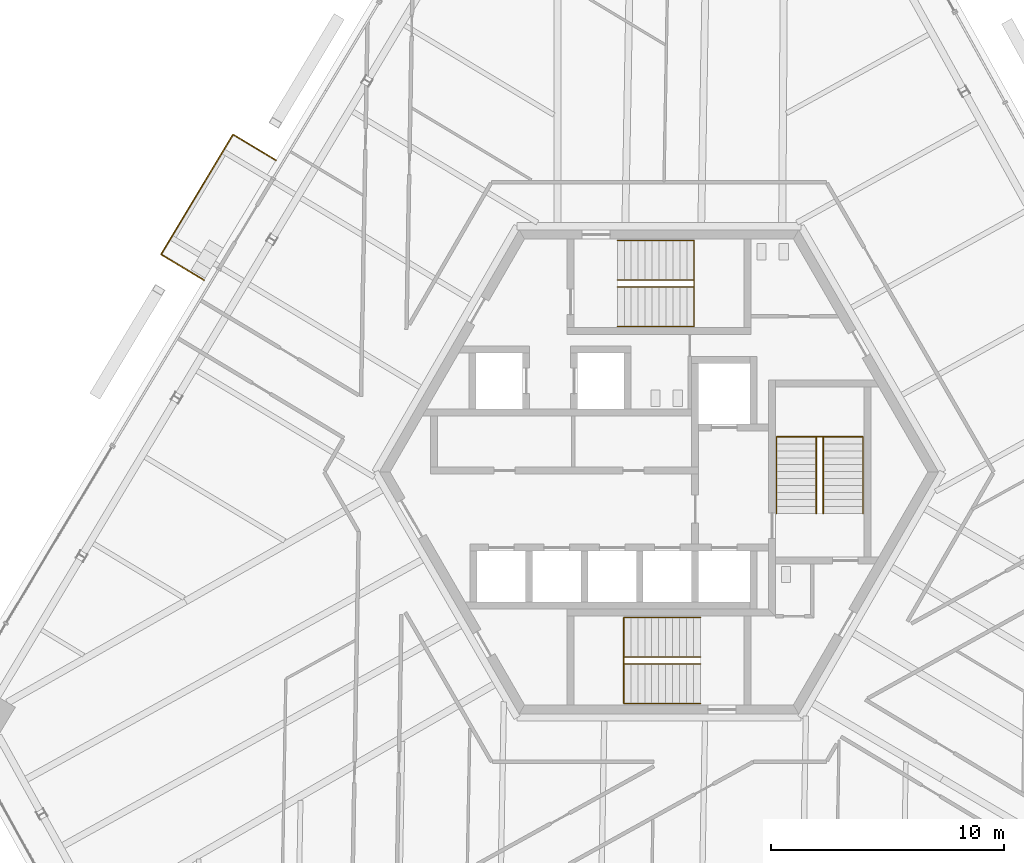
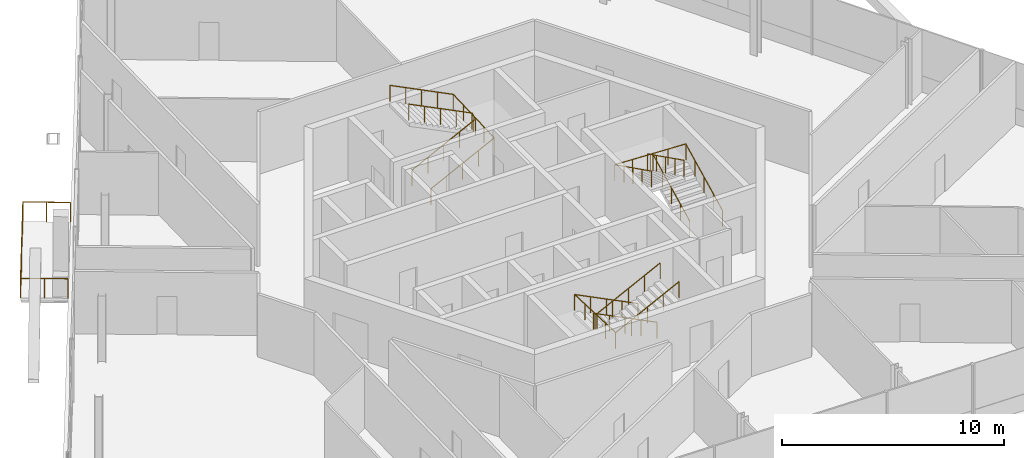
# One storey, part 15 of 18: 7 railings.
"""IFC4 building model written with IfcOpenShell, lengths in metres."""

from ifc_helpers import new_model, si_unit, direction, frame, origin, origin_2d, place, context, subcontext, project, spatial, circle, extrude, source, transform, mapped, material, type_object, element, save


model = new_model("IFC4")

# Units and contexts
model_context = context("Model", 3, precision=1e-05, world=origin(), true_north=direction((0.0, 1.0)))
body_context = subcontext(model_context, "Body", "Model", "MODEL_VIEW")
ifc_project = project(units=[si_unit("LENGTHUNIT", "METRE"), si_unit("AREAUNIT", "SQUARE_METRE"), si_unit("VOLUMEUNIT", "CUBIC_METRE"), si_unit("PLANEANGLEUNIT", "RADIAN"), si_unit("MASSUNIT", "GRAM", prefix="KILO")], contexts=[model_context])

# Site, building, storey
site_placement = place(None, origin())
site = spatial("IfcSite", under=ifc_project, at=site_placement, CompositionType="ELEMENT")
building_placement = place(site_placement, origin())
building = spatial("IfcBuilding", under=site, at=building_placement, Name="Triune Harvest Tower", CompositionType="ELEMENT")
storey_placement = place(building_placement, frame((0.0, 0.0, 190.699951171875)))
storey = spatial("IfcBuildingStorey", under=building, at=storey_placement, Name="L49", CompositionType="ELEMENT", Elevation=190.699951171875)

# Railings
ifc_material_1 = material(Name="Stainless steel AISI 316", Category="steel")
railing_type_1 = type_object("IfcRailingType", Name="Stair handrail", PredefinedType="HANDRAIL", material=ifc_material_1)
shared_shape_1 = source(origin(), body_context, "Body", "SweptSolid", [
    extrude(circle(Radius=0.02392578125, at=origin_2d()), frame((0.0, 0.0, 0.8759765625), z_axis=(0.894440424912, 0.0, 0.447187126696), x_axis=(0.0, 1.0, 0.0)), (0.0, 0.0, 1.0), 3.689453125),
    extrude(circle(Radius=0.02392578125, at=origin_2d()), frame((3.300048828125, 0.0, 2.52587890625), z_axis=(0.0, 0.999180289278, 0.040481471304), x_axis=(-1.0, 0.0, 0.0)), (0.0, 0.0, 1.0), 3.702880859375),
    extrude(circle(Radius=0.02392578125, at=origin_2d()), frame((3.300048828125, 3.699951171875, 2.67578125), z_axis=(-0.894413956696, 0.0, 0.447240063129), x_axis=(0.0, -1.0, 0.0)), (0.0, 0.0, 1.0), 3.689697265625),
    extrude(circle(Radius=0.02099609375, at=origin_2d()), origin(), (0.0, 0.0, 1.0), 0.851806640625),
    extrude(circle(Radius=0.02099609375, at=origin_2d()), frame((0.824951171875, 0.0, 0.41259765625)), (0.0, 0.0, 1.0), 0.851806640625),
    extrude(circle(Radius=0.02099609375, at=origin_2d()), frame((1.64990234375, 0.0, 0.824951171875)), (0.0, 0.0, 1.0), 0.851806640625),
    extrude(circle(Radius=0.02099609375, at=origin_2d()), frame((2.47509765625, 0.0, 1.2373046875)), (0.0, 0.0, 1.0), 0.851806640625),
    extrude(circle(Radius=0.02099609375, at=origin_2d()), frame((3.300048828125, 0.0, 1.64990234375)), (0.0, 0.0, 1.0), 0.851806640625),
    extrude(circle(Radius=0.02099609375, at=origin_2d()), frame((3.300048828125, 0.925048828125, 1.6875)), (0.0, 0.0, 1.0), 0.851806640625),
    extrude(circle(Radius=0.02099609375, at=origin_2d()), frame((3.300048828125, 1.85009765625, 1.724853515625)), (0.0, 0.0, 1.0), 0.851806640625),
    extrude(circle(Radius=0.02099609375, at=origin_2d()), frame((3.300048828125, 2.77490234375, 1.76220703125)), (0.0, 0.0, 1.0), 0.851806640625),
    extrude(circle(Radius=0.02099609375, at=origin_2d()), frame((3.300048828125, 3.699951171875, 1.7998046875)), (0.0, 0.0, 1.0), 0.851806640625),
    extrude(circle(Radius=0.02099609375, at=origin_2d()), frame((2.47509765625, 3.699951171875, 2.21240234375)), (0.0, 0.0, 1.0), 0.851806640625),
    extrude(circle(Radius=0.02099609375, at=origin_2d()), frame((1.64990234375, 3.699951171875, 2.625)), (0.0, 0.0, 1.0), 0.851806640625),
    extrude(circle(Radius=0.02099609375, at=origin_2d()), frame((0.824951171875, 3.699951171875, 3.037353515625)), (0.0, 0.0, 1.0), 0.851806640625),
    extrude(circle(Radius=0.02099609375, at=origin_2d()), frame((0.0, 3.699951171875, 3.449951171875)), (0.0, 0.0, 1.0), 0.851806640625),
])
railing_1_placement = place(storey_placement, frame((-1.7900390625, 6.239990234375, 0.150146484375)))
element("IfcRailing", 1, at=railing_1_placement, inside=storey, type_object=railing_type_1, Name="Exit stair north wall handrail", PredefinedType="HANDRAIL", context=body_context, shape_type="MappedRepresentation", body=[
    mapped(shared_shape_1, transform((0.0, 0.0, 0.0), scale=1.0)),
])
shared_shape_2 = source(origin(), body_context, "Body", "SweptSolid", [
    extrude(circle(Radius=0.02392578125, at=origin_2d()), frame((0.0, 0.0, 0.8759765625), z_axis=(0.894440424912, 0.0, 0.447187126696), x_axis=(0.0, 1.0, 0.0)), (0.0, 0.0, 1.0), 3.689453125),
    extrude(circle(Radius=0.02392578125, at=origin_2d()), frame((3.300048828125, 0.0, 2.52587890625), z_axis=(0.0, 0.894572720946, 0.446922417137), x_axis=(-1.0, 0.0, 0.0)), (0.0, 0.0, 1.0), 0.33544921875),
    extrude(circle(Radius=0.02392578125, at=origin_2d()), frame((3.300048828125, 0.300048828125, 2.67578125), z_axis=(-0.894413956696, 0.0, 0.447240063129), x_axis=(0.0, -1.0, 0.0)), (0.0, 0.0, 1.0), 3.689697265625),
    extrude(circle(Radius=0.02099609375, at=origin_2d()), origin(), (0.0, 0.0, 1.0), 0.851806640625),
    extrude(circle(Radius=0.02099609375, at=origin_2d()), frame((0.824951171875, 0.0, 0.41259765625)), (0.0, 0.0, 1.0), 0.851806640625),
    extrude(circle(Radius=0.02099609375, at=origin_2d()), frame((1.64990234375, 0.0, 0.824951171875)), (0.0, 0.0, 1.0), 0.851806640625),
    extrude(circle(Radius=0.02099609375, at=origin_2d()), frame((2.47509765625, 0.0, 1.2373046875)), (0.0, 0.0, 1.0), 0.851806640625),
    extrude(circle(Radius=0.02099609375, at=origin_2d()), frame((3.300048828125, 0.0, 1.64990234375)), (0.0, 0.0, 1.0), 0.851806640625),
    extrude(circle(Radius=0.02099609375, at=origin_2d()), frame((3.300048828125, 0.300048828125, 1.7998046875)), (0.0, 0.0, 1.0), 0.851806640625),
    extrude(circle(Radius=0.02099609375, at=origin_2d()), frame((2.47509765625, 0.300048828125, 2.21240234375)), (0.0, 0.0, 1.0), 0.851806640625),
    extrude(circle(Radius=0.02099609375, at=origin_2d()), frame((1.64990234375, 0.300048828125, 2.625)), (0.0, 0.0, 1.0), 0.851806640625),
    extrude(circle(Radius=0.02099609375, at=origin_2d()), frame((0.824951171875, 0.300048828125, 3.037353515625)), (0.0, 0.0, 1.0), 0.851806640625),
    extrude(circle(Radius=0.02099609375, at=origin_2d()), frame((0.0, 0.300048828125, 3.449951171875)), (0.0, 0.0, 1.0), 0.851806640625),
])
railing_2_placement = place(storey_placement, frame((-1.7900390625, 7.93994140625, 0.150146484375)))
element("IfcRailing", 2, at=railing_2_placement, inside=storey, type_object=railing_type_1, Name="Exit stair north centre handrail", PredefinedType="HANDRAIL", context=body_context, shape_type="MappedRepresentation", body=[
    mapped(shared_shape_2, transform((0.0, 0.0, 0.0), scale=1.0)),
])
shared_shape_3 = source(origin(), body_context, "Body", "SweptSolid", [
    extrude(circle(Radius=0.02392578125, at=origin_2d()), frame((0.0, 0.0, 0.8759765625), z_axis=(-0.894440424912, 0.0, 0.447187126696), x_axis=(0.0, -1.0, 0.0)), (0.0, 0.0, 1.0), 3.689453125),
    extrude(circle(Radius=0.02392578125, at=origin_2d()), frame((-3.300048828125, 0.0, 2.52587890625), z_axis=(0.0, -0.999180289278, 0.040481471304), x_axis=(1.0, 0.0, 0.0)), (0.0, 0.0, 1.0), 3.702880859375),
    extrude(circle(Radius=0.02392578125, at=origin_2d()), frame((-3.300048828125, -3.699951171875, 2.67578125), z_axis=(0.894413956696, 0.0, 0.447240063129), x_axis=(0.0, 1.0, 0.0)), (0.0, 0.0, 1.0), 3.689697265625),
    extrude(circle(Radius=0.02099609375, at=origin_2d()), origin(), (0.0, 0.0, 1.0), 0.851806640625),
    extrude(circle(Radius=0.02099609375, at=origin_2d()), frame((-0.824951171875, 0.0, 0.41259765625)), (0.0, 0.0, 1.0), 0.851806640625),
    extrude(circle(Radius=0.02099609375, at=origin_2d()), frame((-1.64990234375, 0.0, 0.824951171875)), (0.0, 0.0, 1.0), 0.851806640625),
    extrude(circle(Radius=0.02099609375, at=origin_2d()), frame((-2.47509765625, 0.0, 1.2373046875)), (0.0, 0.0, 1.0), 0.851806640625),
    extrude(circle(Radius=0.02099609375, at=origin_2d()), frame((-3.300048828125, 0.0, 1.64990234375)), (0.0, 0.0, 1.0), 0.851806640625),
    extrude(circle(Radius=0.02099609375, at=origin_2d()), frame((-3.300048828125, -0.925048828125, 1.6875)), (0.0, 0.0, 1.0), 0.851806640625),
    extrude(circle(Radius=0.02099609375, at=origin_2d()), frame((-3.300048828125, -1.85009765625, 1.724853515625)), (0.0, 0.0, 1.0), 0.851806640625),
    extrude(circle(Radius=0.02099609375, at=origin_2d()), frame((-3.300048828125, -2.77490234375, 1.76220703125)), (0.0, 0.0, 1.0), 0.851806640625),
    extrude(circle(Radius=0.02099609375, at=origin_2d()), frame((-3.300048828125, -3.699951171875, 1.7998046875)), (0.0, 0.0, 1.0), 0.851806640625),
    extrude(circle(Radius=0.02099609375, at=origin_2d()), frame((-2.47509765625, -3.699951171875, 2.21240234375)), (0.0, 0.0, 1.0), 0.851806640625),
    extrude(circle(Radius=0.02099609375, at=origin_2d()), frame((-1.64990234375, -3.699951171875, 2.625)), (0.0, 0.0, 1.0), 0.851806640625),
    extrude(circle(Radius=0.02099609375, at=origin_2d()), frame((-0.824951171875, -3.699951171875, 3.037353515625)), (0.0, 0.0, 1.0), 0.851806640625),
    extrude(circle(Radius=0.02099609375, at=origin_2d()), frame((0.0, -3.699951171875, 3.449951171875)), (0.0, 0.0, 1.0), 0.851806640625),
])
railing_3_placement = place(storey_placement, frame((1.7900390625, -6.239990234375, 0.150146484375)))
element("IfcRailing", 3, at=railing_3_placement, inside=storey, type_object=railing_type_1, Name="Exit stair south wall handrail", PredefinedType="HANDRAIL", context=body_context, shape_type="MappedRepresentation", body=[
    mapped(shared_shape_3, transform((0.0, 0.0, 0.0), scale=1.0)),
])
shared_shape_4 = source(origin(), body_context, "Body", "SweptSolid", [
    extrude(circle(Radius=0.02392578125, at=origin_2d()), frame((0.0, 0.0, 0.8759765625), z_axis=(-0.894440424912, 0.0, 0.447187126696), x_axis=(0.0, -1.0, 0.0)), (0.0, 0.0, 1.0), 3.689453125),
    extrude(circle(Radius=0.02392578125, at=origin_2d()), frame((-3.300048828125, 0.0, 2.52587890625), z_axis=(0.0, -0.894572720946, 0.446922417137), x_axis=(1.0, 0.0, 0.0)), (0.0, 0.0, 1.0), 0.33544921875),
    extrude(circle(Radius=0.02392578125, at=origin_2d()), frame((-3.300048828125, -0.300048828125, 2.67578125), z_axis=(0.894413956696, 0.0, 0.447240063129), x_axis=(0.0, 1.0, 0.0)), (0.0, 0.0, 1.0), 3.689697265625),
    extrude(circle(Radius=0.02099609375, at=origin_2d()), origin(), (0.0, 0.0, 1.0), 0.851806640625),
    extrude(circle(Radius=0.02099609375, at=origin_2d()), frame((-0.824951171875, 0.0, 0.41259765625)), (0.0, 0.0, 1.0), 0.851806640625),
    extrude(circle(Radius=0.02099609375, at=origin_2d()), frame((-1.64990234375, 0.0, 0.824951171875)), (0.0, 0.0, 1.0), 0.851806640625),
    extrude(circle(Radius=0.02099609375, at=origin_2d()), frame((-2.47509765625, 0.0, 1.2373046875)), (0.0, 0.0, 1.0), 0.851806640625),
    extrude(circle(Radius=0.02099609375, at=origin_2d()), frame((-3.300048828125, 0.0, 1.64990234375)), (0.0, 0.0, 1.0), 0.851806640625),
    extrude(circle(Radius=0.02099609375, at=origin_2d()), frame((-3.300048828125, -0.300048828125, 1.7998046875)), (0.0, 0.0, 1.0), 0.851806640625),
    extrude(circle(Radius=0.02099609375, at=origin_2d()), frame((-2.47509765625, -0.300048828125, 2.21240234375)), (0.0, 0.0, 1.0), 0.851806640625),
    extrude(circle(Radius=0.02099609375, at=origin_2d()), frame((-1.64990234375, -0.300048828125, 2.625)), (0.0, 0.0, 1.0), 0.851806640625),
    extrude(circle(Radius=0.02099609375, at=origin_2d()), frame((-0.824951171875, -0.300048828125, 3.037353515625)), (0.0, 0.0, 1.0), 0.851806640625),
    extrude(circle(Radius=0.02099609375, at=origin_2d()), frame((0.0, -0.300048828125, 3.449951171875)), (0.0, 0.0, 1.0), 0.851806640625),
])
railing_4_placement = place(storey_placement, frame((1.7900390625, -7.93994140625, 0.150146484375)))
element("IfcRailing", 4, at=railing_4_placement, inside=storey, type_object=railing_type_1, Name="Exit stair south centre handrail", PredefinedType="HANDRAIL", context=body_context, shape_type="MappedRepresentation", body=[
    mapped(shared_shape_4, transform((0.0, 0.0, 0.0), scale=1.0)),
])
shared_shape_5 = source(origin(), body_context, "Body", "SweptSolid", [
    extrude(circle(Radius=0.02392578125, at=origin_2d()), frame((0.0, 0.0, 0.8759765625), z_axis=(0.0, 0.894440424912, 0.447187126696), x_axis=(-1.0, 0.0, 0.0)), (0.0, 0.0, 1.0), 3.689453125),
    extrude(circle(Radius=0.02392578125, at=origin_2d()), frame((0.0, 3.300048828125, 2.52587890625), z_axis=(-0.999180289278, 0.0, 0.040481471304), x_axis=(0.0, -1.0, 0.0)), (0.0, 0.0, 1.0), 3.702880859375),
    extrude(circle(Radius=0.02392578125, at=origin_2d()), frame((-3.699951171875, 3.300048828125, 2.67578125), z_axis=(0.0, -0.894413956696, 0.447240063129), x_axis=(1.0, 0.0, 0.0)), (0.0, 0.0, 1.0), 3.689697265625),
    extrude(circle(Radius=0.02099609375, at=origin_2d()), origin(), (0.0, 0.0, 1.0), 0.851806640625),
    extrude(circle(Radius=0.02099609375, at=origin_2d()), frame((0.0, 0.824951171875, 0.41259765625)), (0.0, 0.0, 1.0), 0.851806640625),
    extrude(circle(Radius=0.02099609375, at=origin_2d()), frame((0.0, 1.64990234375, 0.824951171875)), (0.0, 0.0, 1.0), 0.851806640625),
    extrude(circle(Radius=0.02099609375, at=origin_2d()), frame((0.0, 2.47509765625, 1.2373046875)), (0.0, 0.0, 1.0), 0.851806640625),
    extrude(circle(Radius=0.02099609375, at=origin_2d()), frame((0.0, 3.300048828125, 1.64990234375)), (0.0, 0.0, 1.0), 0.851806640625),
    extrude(circle(Radius=0.02099609375, at=origin_2d()), frame((-0.925048828125, 3.300048828125, 1.6875)), (0.0, 0.0, 1.0), 0.851806640625),
    extrude(circle(Radius=0.02099609375, at=origin_2d()), frame((-1.85009765625, 3.300048828125, 1.724853515625)), (0.0, 0.0, 1.0), 0.851806640625),
    extrude(circle(Radius=0.02099609375, at=origin_2d()), frame((-2.77490234375, 3.300048828125, 1.76220703125)), (0.0, 0.0, 1.0), 0.851806640625),
    extrude(circle(Radius=0.02099609375, at=origin_2d()), frame((-3.699951171875, 3.300048828125, 1.7998046875)), (0.0, 0.0, 1.0), 0.851806640625),
    extrude(circle(Radius=0.02099609375, at=origin_2d()), frame((-3.699951171875, 2.47509765625, 2.21240234375)), (0.0, 0.0, 1.0), 0.851806640625),
    extrude(circle(Radius=0.02099609375, at=origin_2d()), frame((-3.699951171875, 1.64990234375, 2.625)), (0.0, 0.0, 1.0), 0.851806640625),
    extrude(circle(Radius=0.02099609375, at=origin_2d()), frame((-3.699951171875, 0.824951171875, 3.037353515625)), (0.0, 0.0, 1.0), 0.851806640625),
    extrude(circle(Radius=0.02099609375, at=origin_2d()), frame((-3.699951171875, 0.0, 3.449951171875)), (0.0, 0.0, 1.0), 0.851806640625),
])
railing_5_placement = place(storey_placement, frame((8.75, -1.7900390625, 0.150146484375)))
element("IfcRailing", 5, at=railing_5_placement, inside=storey, type_object=railing_type_1, Name="Exit stair east wall handrail", PredefinedType="HANDRAIL", context=body_context, shape_type="MappedRepresentation", body=[
    mapped(shared_shape_5, transform((0.0, 0.0, 0.0), scale=1.0)),
])
shared_shape_6 = source(origin(), body_context, "Body", "SweptSolid", [
    extrude(circle(Radius=0.02392578125, at=origin_2d()), frame((0.0, 0.0, 0.8759765625), z_axis=(0.0, 0.894440424912, 0.447187126696), x_axis=(-1.0, 0.0, 0.0)), (0.0, 0.0, 1.0), 3.689453125),
    extrude(circle(Radius=0.02392578125, at=origin_2d()), frame((0.0, 3.300048828125, 2.52587890625), z_axis=(-0.894572720946, 0.0, 0.446922417137), x_axis=(0.0, -1.0, 0.0)), (0.0, 0.0, 1.0), 0.33544921875),
    extrude(circle(Radius=0.02392578125, at=origin_2d()), frame((-0.300048828125, 3.300048828125, 2.67578125), z_axis=(0.0, -0.894413956696, 0.447240063129), x_axis=(1.0, 0.0, 0.0)), (0.0, 0.0, 1.0), 3.689697265625),
    extrude(circle(Radius=0.02099609375, at=origin_2d()), origin(), (0.0, 0.0, 1.0), 0.851806640625),
    extrude(circle(Radius=0.02099609375, at=origin_2d()), frame((0.0, 0.824951171875, 0.41259765625)), (0.0, 0.0, 1.0), 0.851806640625),
    extrude(circle(Radius=0.02099609375, at=origin_2d()), frame((0.0, 1.64990234375, 0.824951171875)), (0.0, 0.0, 1.0), 0.851806640625),
    extrude(circle(Radius=0.02099609375, at=origin_2d()), frame((0.0, 2.47509765625, 1.2373046875)), (0.0, 0.0, 1.0), 0.851806640625),
    extrude(circle(Radius=0.02099609375, at=origin_2d()), frame((0.0, 3.300048828125, 1.64990234375)), (0.0, 0.0, 1.0), 0.851806640625),
    extrude(circle(Radius=0.02099609375, at=origin_2d()), frame((-0.300048828125, 3.300048828125, 1.7998046875)), (0.0, 0.0, 1.0), 0.851806640625),
    extrude(circle(Radius=0.02099609375, at=origin_2d()), frame((-0.300048828125, 2.47509765625, 2.21240234375)), (0.0, 0.0, 1.0), 0.851806640625),
    extrude(circle(Radius=0.02099609375, at=origin_2d()), frame((-0.300048828125, 1.64990234375, 2.625)), (0.0, 0.0, 1.0), 0.851806640625),
    extrude(circle(Radius=0.02099609375, at=origin_2d()), frame((-0.300048828125, 0.824951171875, 3.037353515625)), (0.0, 0.0, 1.0), 0.851806640625),
    extrude(circle(Radius=0.02099609375, at=origin_2d()), frame((-0.300048828125, 0.0, 3.449951171875)), (0.0, 0.0, 1.0), 0.851806640625),
])
railing_6_placement = place(storey_placement, frame((7.050048828125, -1.7900390625, 0.150146484375)))
element("IfcRailing", 6, at=railing_6_placement, inside=storey, type_object=railing_type_1, Name="Exit stair east centre handrail", PredefinedType="HANDRAIL", context=body_context, shape_type="MappedRepresentation", body=[
    mapped(shared_shape_6, transform((0.0, 0.0, 0.0), scale=1.0)),
])
ifc_material_2 = material(Name="Glass", Category="glass")
railing_type_2 = type_object("IfcRailingType", Name="GD-2 balcony guard 1100", PredefinedType="GUARDRAIL", material=ifc_material_2)
shared_shape_7 = source(origin(), body_context, "Body", "SweptSolid", [
    extrude(circle(Radius=0.02392578125, at=origin_2d()), frame((0.0, 0.0, 1.076171875), z_axis=(-0.857171813398, 0.515030564448, 0.0), x_axis=(-0.515030564448, -0.857171813398, 0.0)), (0.0, 0.0, 1.0), 2.14794921875),
    extrude(circle(Radius=0.02392578125, at=origin_2d()), frame((-1.841064453125, 1.106201171875, 1.076171875), z_axis=(-0.515046152758, -0.85716244699, 0.0), x_axis=(0.85716244699, -0.515046152758, 0.0)), (0.0, 0.0, 1.0), 6.0),
    extrude(circle(Radius=0.02392578125, at=origin_2d()), frame((-4.931396484375, -4.036865234375, 1.076171875), z_axis=(0.857201960216, -0.514980387396, 0.0), x_axis=(0.514980387396, 0.857201960216, 0.0)), (0.0, 0.0, 1.0), 2.14794921875),
    extrude(circle(Radius=0.02099609375, at=origin_2d()), origin(), (0.0, 0.0, 1.0), 1.052001953125),
    extrude(circle(Radius=0.02099609375, at=origin_2d()), frame((-0.92041015625, 0.55322265625, 0.0)), (0.0, 0.0, 1.0), 1.052001953125),
    extrude(circle(Radius=0.02099609375, at=origin_2d()), frame((-1.841064453125, 1.106201171875, 0.0)), (0.0, 0.0, 1.0), 1.052001953125),
    extrude(circle(Radius=0.02099609375, at=origin_2d()), frame((-2.356201171875, 0.2490234375, 0.0)), (0.0, 0.0, 1.0), 1.052001953125),
    extrude(circle(Radius=0.02099609375, at=origin_2d()), frame((-2.87109375, -0.608154296875, 0.0)), (0.0, 0.0, 1.0), 1.052001953125),
    extrude(circle(Radius=0.02099609375, at=origin_2d()), frame((-3.38623046875, -1.46533203125, 0.0)), (0.0, 0.0, 1.0), 1.052001953125),
    extrude(circle(Radius=0.02099609375, at=origin_2d()), frame((-3.9013671875, -2.322509765625, 0.0)), (0.0, 0.0, 1.0), 1.052001953125),
    extrude(circle(Radius=0.02099609375, at=origin_2d()), frame((-4.416259765625, -3.1796875, 0.0)), (0.0, 0.0, 1.0), 1.052001953125),
    extrude(circle(Radius=0.02099609375, at=origin_2d()), frame((-4.931396484375, -4.036865234375, 0.0)), (0.0, 0.0, 1.0), 1.052001953125),
    extrude(circle(Radius=0.02099609375, at=origin_2d()), frame((-4.0107421875, -4.58984375, 0.0)), (0.0, 0.0, 1.0), 1.052001953125),
    extrude(circle(Radius=0.02099609375, at=origin_2d()), frame((-3.090087890625, -5.14306640625, 0.0)), (0.0, 0.0, 1.0), 1.052001953125),
])
railing_7_placement = place(storey_placement, frame((-16.435791015625, 13.37548828125, 0.0)))
element("IfcRailing", 7, at=railing_7_placement, inside=storey, type_object=railing_type_2, Name="Balcony guard B5-F3 L49.6", PredefinedType="GUARDRAIL", context=body_context, shape_type="MappedRepresentation", body=[
    mapped(shared_shape_7, transform((0.0, 0.0, 0.0), scale=1.0)),
])

save(model, "model.ifc")
